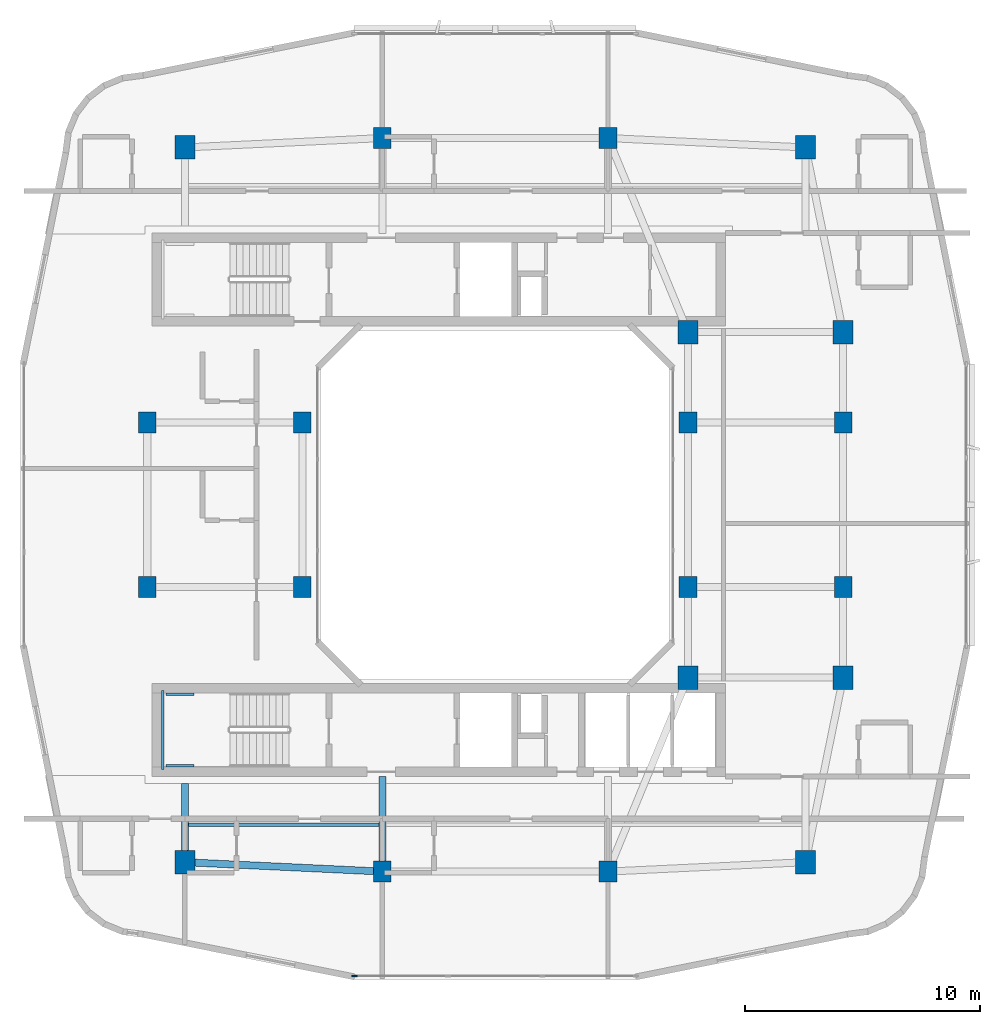
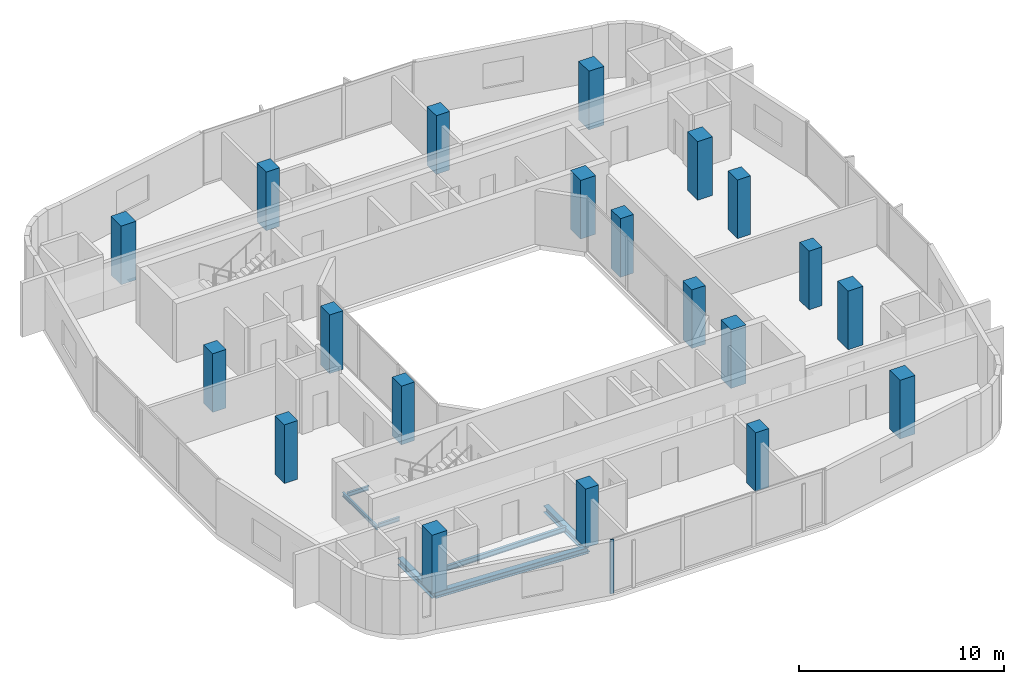
# One storey, part 1 of 14: 20 columns, 7 beams, 1 member, 1 element without a shape of its own.
"""IFC4 building model written with IfcOpenShell, lengths in metres."""

from ifc_helpers import new_model, si_unit, derived_unit, direction, frame, origin, origin_2d, place, context, subcontext, project, spatial, rectangle, i_section, extrude, material, layer, layer_set, material_profile, profile_set, type_object, element, aggregate, save


model = new_model("IFC4")

# Units and contexts
model_context = context("Model", 3, precision=1e-05, world=origin(), true_north=direction((0.0, 1.0)))
body_context = subcontext(model_context, "Body", "Model", "MODEL_VIEW")
ifc_project = project(units=[si_unit("LENGTHUNIT", "METRE"), si_unit("AREAUNIT", "SQUARE_METRE"), si_unit("VOLUMEUNIT", "CUBIC_METRE"), si_unit("PLANEANGLEUNIT", "RADIAN"), si_unit("MASSUNIT", "GRAM", prefix="KILO"), derived_unit("THERMALTRANSMITTANCEUNIT", [(si_unit("POWERUNIT", "WATT"), 1), (si_unit("LENGTHUNIT", "METRE"), -2), (si_unit("THERMODYNAMICTEMPERATUREUNIT", "KELVIN"), -1)])], contexts=[model_context])

# Site, building, storey
site_placement = place(None, origin())
site = spatial("IfcSite", under=ifc_project, at=site_placement, CompositionType="ELEMENT")
building_placement = place(site_placement, origin())
building = spatial("IfcBuilding", under=site, at=building_placement, Name="Kivonza Crest Hotel", CompositionType="ELEMENT")
storey_placement = place(building_placement, frame((0.0, 0.0, 145.0)))
storey = spatial("IfcBuildingStorey", under=building, at=storey_placement, Name="L39", CompositionType="ELEMENT", Elevation=145.0)

# Columns
ifc_material_1 = material(Name="Concrete C50/60", Category="concrete")
ifc_material_profile_1 = material_profile(ifc_material_1, rectangle(XDim=0.85009765625, YDim=1.0, at=origin_2d()), Name="RC 1000x850")
ifc_profile_set_1 = profile_set([ifc_material_profile_1], Name="Concrete C50/60")
column_type_1 = type_object("IfcColumnType", Name="CL-RC-1000x850", PredefinedType="COLUMN", material=ifc_profile_set_1)
for number, where, z_axis, x_axis, name in (
    (1, (7.800048828125, 9.800048828125, 0.0), (0.0, 0.0, 1.0), (1.0, 0.0, 0.0), "Tower T1 L39 column SW"),
    (2, (34.199951171875, 9.800048828125, 0.0), (0.0, 0.0, 1.0), (1.0, 0.0, 0.0), "Tower T1 L39 column SE"),
    (3, (34.199951171875, 40.199951171875, 0.0), (0.0, 0.0, 1.0), (1.0, 0.0, 0.0), "Tower T1 L39 column NE"),
    (4, (7.800048828125, 40.199951171875, 0.0), (0.0, 0.0, 1.0), (1.0, 0.0, 0.0), "Tower T1 L39 column NW"),
    (5, (35.800048828125, 17.64990234375, 0.0), (0.0, 0.0, 1.0), (1.0, 0.0, 0.0), "Tower T1 L39 column PSE"),
    (6, (35.800048828125, 32.35009765625, 0.0), (0.0, 0.0, 1.0), (1.0, 0.0, 0.0), "Tower T1 L39 column PNE"),
    (7, (29.199951171875, 17.64990234375, 0.0), (0.0, 0.0, 1.0), (1.0, 0.0, 0.0), "Tower T1 L39 column TSE"),
    (8, (29.199951171875, 32.35009765625, 0.0), (0.0, 0.0, 1.0), (1.0, 0.0, 0.0), "Tower T1 L39 column TNE"),
):
    element("IfcColumn", number, at=place(storey_placement, frame(where, z_axis=z_axis, x_axis=x_axis)), inside=storey, type_object=column_type_1, Name=name, PredefinedType="COLUMN", context=body_context, shape_type="SweptSolid", body=[
        extrude(rectangle(XDim=0.85009765625, YDim=1.0, at=origin_2d()), origin(), (0.0, 0.0, 1.0), 3.5),
    ])
ifc_material_profile_2 = material_profile(ifc_material_1, rectangle(XDim=0.75, YDim=0.89990234375, at=origin_2d()), Name="RC 900x750")
ifc_profile_set_2 = profile_set([ifc_material_profile_2], Name="Concrete C50/60")
column_type_2 = type_object("IfcColumnType", Name="CL-RC-900x750", PredefinedType="COLUMN", material=ifc_profile_set_2)
for number, where, z_axis, x_axis, name in (
    (9, (16.199951171875, 9.39990234375, 0.0), (0.0, 0.0, 1.0), (1.0, 0.0, 0.0), "Tower T1 L39 column S1"),
    (10, (25.800048828125, 9.39990234375, 0.0), (0.0, 0.0, 1.0), (1.0, 0.0, 0.0), "Tower T1 L39 column S2"),
    (11, (16.199951171875, 40.60009765625, 0.0), (0.0, 0.0, 1.0), (1.0, 0.0, 0.0), "Tower T1 L39 column N1"),
    (12, (25.800048828125, 40.60009765625, 0.0), (0.0, 0.0, 1.0), (1.0, 0.0, 0.0), "Tower T1 L39 column N2"),
    (13, (6.199951171875, 21.5, 0.0), (0.0, 0.0, 1.0), (1.0, 0.0, 0.0), "Tower T1 L39 column W1"),
    (14, (6.199951171875, 28.5, 0.0), (0.0, 0.0, 1.0), (1.0, 0.0, 0.0), "Tower T1 L39 column W2"),
    (15, (35.800048828125, 21.5, 0.0), (0.0, 0.0, 1.0), (1.0, 0.0, 0.0), "Tower T1 L39 column E1"),
    (16, (35.800048828125, 28.5, 0.0), (0.0, 0.0, 1.0), (1.0, 0.0, 0.0), "Tower T1 L39 column E2"),
    (17, (12.800048828125, 21.5, 0.0), (0.0, 0.0, 1.0), (1.0, 0.0, 0.0), "Tower T1 L39 column WL1"),
    (18, (12.800048828125, 28.5, 0.0), (0.0, 0.0, 1.0), (1.0, 0.0, 0.0), "Tower T1 L39 column WL2"),
    (19, (29.199951171875, 21.5, 0.0), (0.0, 0.0, 1.0), (1.0, 0.0, 0.0), "Tower T1 L39 column WR1"),
    (20, (29.199951171875, 28.5, 0.0), (0.0, 0.0, 1.0), (1.0, 0.0, 0.0), "Tower T1 L39 column WR2"),
):
    element("IfcColumn", number, at=place(storey_placement, frame(where, z_axis=z_axis, x_axis=x_axis)), inside=storey, type_object=column_type_2, Name=name, PredefinedType="COLUMN", context=body_context, shape_type="SweptSolid", body=[
        extrude(rectangle(XDim=0.75, YDim=0.89990234375, at=origin_2d()), origin(), (0.0, 0.0, 1.0), 3.5),
    ])

# Beams
ifc_material_2 = material(Name="Steel S355", Category="steel")
ifc_material_profile_3 = material_profile(ifc_material_2, i_section(OverallWidth=0.300048828125, OverallDepth=0.360107421875, WebThickness=0.012451171875, FlangeThickness=0.0224609375, FilletRadius=0.027099609375, at=origin_2d()), Name="HEB 360")
ifc_profile_set_3 = profile_set([ifc_material_profile_3], Name="Steel S355")
beam_type_1 = type_object("IfcBeamType", Name="BM-HEB360", PredefinedType="SPANDREL", material=ifc_profile_set_3)
beam_1_placement = place(storey_placement, frame((7.800048828125, 9.800048828125, -0.4599609375), z_axis=(0.998867283688, -0.047583080799, 0.0), x_axis=(0.047583080799, 0.998867283688, 0.0)))
element("IfcBeam", 21, at=beam_1_placement, inside=storey, type_object=beam_type_1, Name="Tower T1 L39 perimeter spandrel SW-S1", PredefinedType="SPANDREL", context=body_context, shape_type="SweptSolid", body=[
    extrude(i_section(OverallWidth=0.300048828125, OverallDepth=0.360107421875, WebThickness=0.012451171875, FlangeThickness=0.0224609375, FilletRadius=0.027099609375, at=origin_2d()), origin(), (0.0, 0.0, 1.0), 8.409423828125),
])
ifc_material_profile_4 = material_profile(ifc_material_2, i_section(OverallWidth=0.300048828125, OverallDepth=0.39990234375, WebThickness=0.013427734375, FlangeThickness=0.02392578125, FilletRadius=0.027099609375, at=origin_2d()), Name="HEB 400")
ifc_profile_set_4 = profile_set([ifc_material_profile_4], Name="Steel S355")
beam_type_2 = type_object("IfcBeamType", Name="BM-HEB400", PredefinedType="BEAM", material=ifc_profile_set_4)
beam_2_placement = place(storey_placement, frame((7.800048828125, 9.800048828125, -0.47998046875), z_axis=(0.0, 1.0, 0.0), x_axis=(-1.0, 0.0, 0.0)))
element("IfcBeam", 22, at=beam_2_placement, inside=storey, type_object=beam_type_2, Name="Tower T1 L39 radial core girder RSW", PredefinedType="BEAM", context=body_context, shape_type="SweptSolid", body=[
    extrude(i_section(OverallWidth=0.300048828125, OverallDepth=0.39990234375, WebThickness=0.013427734375, FlangeThickness=0.02392578125, FilletRadius=0.027099609375, at=origin_2d()), origin(), (0.0, 0.0, 1.0), 3.349853515625),
])
beam_3_placement = place(storey_placement, frame((16.199951171875, 9.39990234375, -0.47998046875), z_axis=(0.0, 1.0, 0.0), x_axis=(-1.0, 0.0, 0.0)))
element("IfcBeam", 23, at=beam_3_placement, inside=storey, type_object=beam_type_2, Name="Tower T1 L39 radial core girder RS1", PredefinedType="BEAM", context=body_context, shape_type="SweptSolid", body=[
    extrude(i_section(OverallWidth=0.300048828125, OverallDepth=0.39990234375, WebThickness=0.013427734375, FlangeThickness=0.02392578125, FilletRadius=0.027099609375, at=origin_2d()), origin(), (0.0, 0.0, 1.0), 4.050048828125),
])
ifc_material_profile_5 = material_profile(ifc_material_2, i_section(OverallWidth=0.14990234375, OverallDepth=0.300048828125, WebThickness=0.007080078125, FlangeThickness=0.0107421875, FilletRadius=0.014892578125, at=origin_2d()), Name="IPE 300")
ifc_profile_set_5 = profile_set([ifc_material_profile_5], Name="Steel S355")
beam_type_3 = type_object("IfcBeamType", Name="BM-IPE300", PredefinedType="JOIST", material=ifc_profile_set_5)
beam_4_placement = place(storey_placement, frame((7.8798828125, 11.39990234375, -0.429931640625), z_axis=(1.0, 0.0, 0.0), x_axis=(0.0, 1.0, 0.0)))
element("IfcBeam", 24, at=beam_4_placement, inside=storey, type_object=beam_type_3, Name="Tower T1 L39 South-West floor joist", PredefinedType="JOIST", context=body_context, shape_type="SweptSolid", body=[
    extrude(i_section(OverallWidth=0.14990234375, OverallDepth=0.300048828125, WebThickness=0.007080078125, FlangeThickness=0.0107421875, FilletRadius=0.014892578125, at=origin_2d()), origin(), (0.0, 0.0, 1.0), 8.240234375),
])
ifc_material_profile_6 = material_profile(ifc_material_2, i_section(OverallWidth=0.1201171875, OverallDepth=0.239990234375, WebThickness=0.006103515625, FlangeThickness=0.009765625, FilletRadius=0.014892578125, at=origin_2d()), Name="IPE 240")
ifc_profile_set_6 = profile_set([ifc_material_profile_6], Name="Steel S355")
beam_type_4 = type_object("IfcBeamType", Name="BM-LLDG-240", PredefinedType="BEAM", material=ifc_profile_set_6)
beam_5_placement = place(storey_placement, frame((6.860107421875, 13.739990234375, 1.429931640625), z_axis=(0.0, 1.0, 0.0), x_axis=(-1.0, 0.0, 0.0)))
element("IfcBeam", 25, at=beam_5_placement, inside=storey, type_object=beam_type_4, Name="Stair ST-T1-S L39 West landing corbel", PredefinedType="BEAM", context=body_context, shape_type="SweptSolid", body=[
    extrude(i_section(OverallWidth=0.1201171875, OverallDepth=0.239990234375, WebThickness=0.006103515625, FlangeThickness=0.009765625, FilletRadius=0.014892578125, at=origin_2d()), origin(), (0.0, 0.0, 1.0), 3.360107421875),
])
for number, where, z_axis, x_axis, name in (
    (26, (6.989990234375, 13.89990234375, 1.429931640625), (1.0, 0.0, 0.0), (0.0, 1.0, 0.0), "Stair ST-T1-S L39 South landing corbel"),
    (27, (6.989990234375, 16.93994140625, 1.429931640625), (1.0, 0.0, 0.0), (0.0, 1.0, 0.0), "Stair ST-T1-S L39 North landing corbel"),
):
    element("IfcBeam", number, at=place(storey_placement, frame(where, z_axis=z_axis, x_axis=x_axis)), inside=storey, type_object=beam_type_4, Name=name, PredefinedType="BEAM", context=body_context, shape_type="SweptSolid", body=[
        extrude(i_section(OverallWidth=0.1201171875, OverallDepth=0.239990234375, WebThickness=0.006103515625, FlangeThickness=0.009765625, FilletRadius=0.014892578125, at=origin_2d()), origin(), (0.0, 0.0, 1.0), 1.2099609375),
    ])

# Curtain wall, member
ifc_material_3 = material(Name="Anodised bronze aluminium and low-E double glazing", Category="aluminium")
ifc_layer = layer(ifc_material_3, 0.179931640625)
ifc_layer_set = layer_set([ifc_layer], Name="Anodised bronze aluminium and low-E double glazing")
curtain_wall_type = type_object("IfcCurtainWallType", Name="CW-SYS-3", PredefinedType="NOTDEFINED", material=ifc_layer_set)
curtain_wall_placement = place(storey_placement, origin())
curtain_wall = element("IfcCurtainWall", 28, at=curtain_wall_placement, inside=storey, type_object=curtain_wall_type, Name="L39 unitised curtain wall CW-T1-L39-08", PredefinedType="NOTDEFINED")
ifc_material_4 = material(Name="Anodised bronze aluminium", Category="aluminium")
ifc_material_profile_7 = material_profile(ifc_material_4, rectangle(XDim=0.074951171875, YDim=0.219970703125, at=origin_2d()), Name="CW-M 75x220")
ifc_profile_set_7 = profile_set([ifc_material_profile_7], Name="Anodised bronze aluminium")
member_type = type_object("IfcMemberType", Name="CW-MUL-75x220", PredefinedType="MULLION", material=ifc_profile_set_7)
member_placement = place(storey_placement, frame((15.017578125, 4.9599609375, 0.0), z_axis=(0.0, 0.0, 1.0), x_axis=(0.0, 1.0, 0.0)))
member = element("IfcMember", 29, at=member_placement, type_object=member_type, Name="CW-3 mullion 1", PredefinedType="MULLION", context=body_context, shape_type="SweptSolid", body=[
    extrude(rectangle(XDim=0.074951171875, YDim=0.219970703125, at=origin_2d()), origin(), (0.0, 0.0, 1.0), 3.219970703125),
])
aggregate(curtain_wall, [member])

save(model, "model.ifc")
